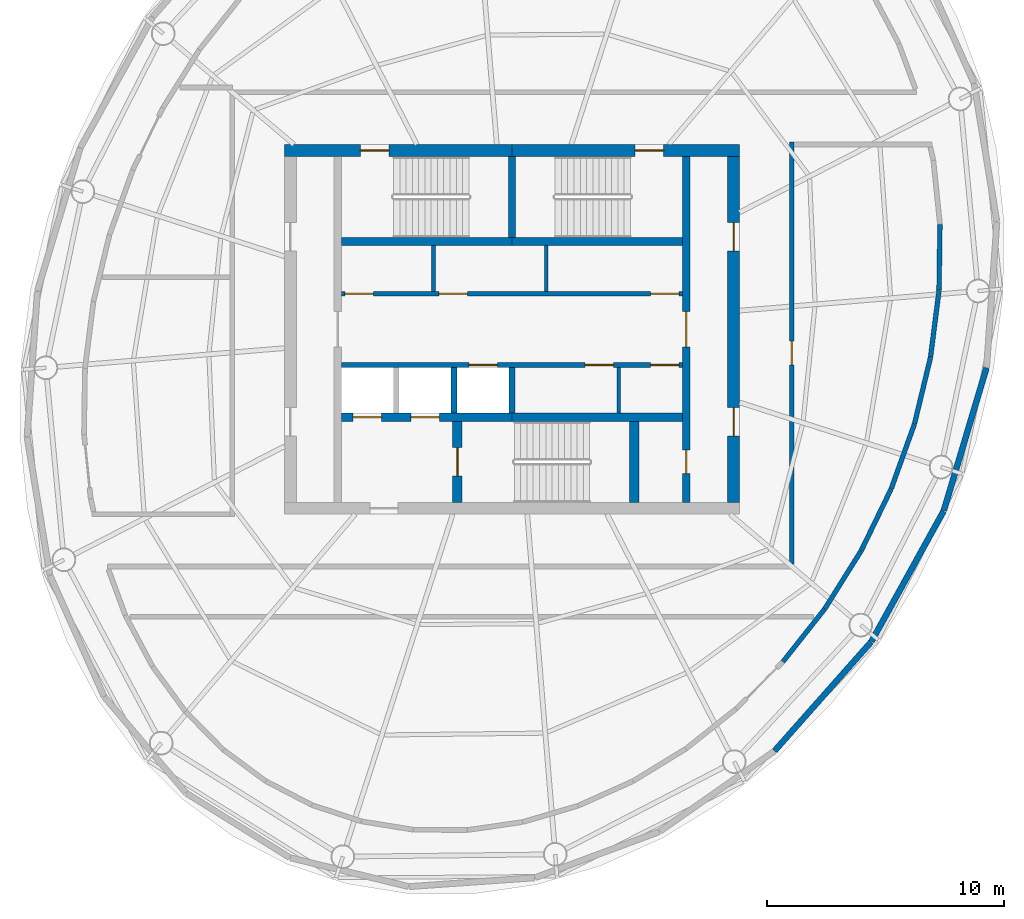
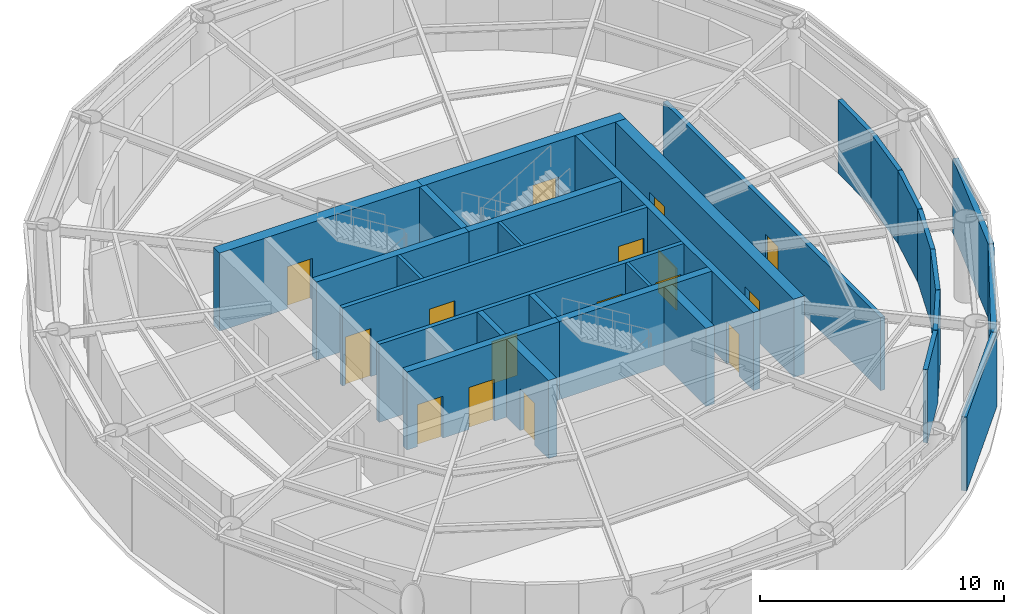
# One storey, part 4 of 6: 29 walls, 16 doors, 16 openings.
"""IFC4 building model written with IfcOpenShell, lengths in metres."""

from ifc_helpers import new_model, si_unit, direction, frame, frame_2d, origin, place, context, subcontext, project, spatial, rectangle, extrude, material, layer, layer_set, type_object, element, fill, save


model = new_model("IFC4")

# Units and contexts
model_context = context("Model", 3, precision=1e-05, world=origin(), true_north=direction((0.0, 1.0)))
body_context = subcontext(model_context, "Body", "Model", "MODEL_VIEW")
ifc_project = project(units=[si_unit("LENGTHUNIT", "METRE"), si_unit("AREAUNIT", "SQUARE_METRE"), si_unit("VOLUMEUNIT", "CUBIC_METRE"), si_unit("PLANEANGLEUNIT", "RADIAN"), si_unit("MASSUNIT", "GRAM", prefix="KILO")], contexts=[model_context])

# Site, building, storey
site_placement = place(None, origin())
site = spatial("IfcSite", under=ifc_project, at=site_placement, CompositionType="ELEMENT")
building_placement = place(site_placement, origin())
building = spatial("IfcBuilding", under=site, at=building_placement, Name="Vermilion Reach Broadcast Tower", CompositionType="ELEMENT")
storey_placement = place(building_placement, frame((0.0, 0.0, 308.699951171875)))
storey = spatial("IfcBuildingStorey", under=building, at=storey_placement, Name="L77 CROWN", CompositionType="ELEMENT", Elevation=308.699951171875)

# Wall, openings, doors
ifc_material_1 = material(Name="Concrete C50", Category="concrete")
ifc_layer_1 = layer(ifc_material_1, 0.300048828125)
ifc_layer_set_1 = layer_set([ifc_layer_1], Name="Core inner wall 300 mm Concrete C50")
wall_type_1 = type_object("IfcWallType", Name="Core inner wall 300 mm Concrete C50", PredefinedType="SHEAR", material=ifc_layer_set_1)
wall_1_placement = place(storey_placement, frame((1.35009765625, -7.300048828125, 0.0), z_axis=(0.0, 0.0, 1.0), x_axis=(0.0, 1.0, 0.0)))
wall_1 = element("IfcWall", 1, at=wall_1_placement, inside=storey, type_object=wall_type_1, Name="L77 CROWN core wall ewE", PredefinedType="SHEAR", context=body_context, shape_type="SweptSolid", body=[
    extrude(rectangle(XDim=14.60009765625, YDim=0.300048828125, at=frame_2d((7.300048828125, 0.0))), origin(), (0.0, 0.0, 1.0), 3.900146484375),
])
opening_1_placement = place(wall_1_placement, frame((1.2099609375, 0.0, 0.0)))
opening_1 = element("IfcOpeningElement", 2, at=opening_1_placement, cuts=wall_1, Name="Opening D05", PredefinedType="OPENING", context=body_context, shape_type="SweptSolid", body=[
    extrude(rectangle(XDim=1.0, YDim=2.10009765625, at=frame_2d((0.5, 1.050048828125))), frame((0.0, 0.159912109375, 0.0), z_axis=(0.0, -1.0, 0.0), x_axis=(1.0, 0.0, 0.0)), (0.0, 0.0, 1.0), 0.320068359375),
])
opening_2_placement = place(wall_1_placement, frame((6.550048828125, 0.0, 0.0)))
opening_2 = element("IfcOpeningElement", 3, at=opening_2_placement, cuts=wall_1, Name="Opening D04", PredefinedType="OPENING", context=body_context, shape_type="SweptSolid", body=[
    extrude(rectangle(XDim=1.5, YDim=2.10009765625, at=frame_2d((0.75, 1.050048828125))), frame((0.0, 0.159912109375, 0.0), z_axis=(0.0, -1.0, 0.0), x_axis=(1.0, 0.0, 0.0)), (0.0, 0.0, 1.0), 0.320068359375),
])
ifc_material_2 = material(Name="Painted steel fire door", Category="steel")
door_type_1 = type_object("IfcDoorType", Name="Lift lobby door 1500 x 2100", OperationType="DOUBLE_DOOR_SINGLE_SWING", PredefinedType="NOTDEFINED", material=ifc_material_2)
door_1_placement = place(opening_2_placement, origin())
door_1 = element("IfcDoor", 4, at=door_1_placement, inside=storey, type_object=door_type_1, Name="L77 CROWN band door BE", OperationType="DOUBLE_DOOR_SINGLE_SWING", OverallHeight=2.10009765625, OverallWidth=1.5, PredefinedType="NOTDEFINED", context=body_context, shape_type="SweptSolid", body=[
    extrude(rectangle(XDim=1.5, YDim=2.10009765625, at=frame_2d((0.75, 1.050048828125))), frame((0.0, 0.02490234375, 0.0), z_axis=(0.0, -1.0, 0.0), x_axis=(1.0, 0.0, 0.0)), (0.0, 0.0, 1.0), 0.050048828125),
])
fill(opening_2, door_1)
ifc_material_3 = material(Name="Timber door", Category="wood")
door_type_2 = type_object("IfcDoorType", Name="Room door 1000 x 2100", OperationType="NOTDEFINED", PredefinedType="NOTDEFINED", material=ifc_material_3)
door_2_placement = place(opening_1_placement, origin())
door_2 = element("IfcDoor", 5, at=door_2_placement, inside=storey, type_object=door_type_2, Name="L77 CROWN door SER", OperationType="SINGLE_SWING_LEFT", OverallHeight=2.10009765625, OverallWidth=1.0, PredefinedType="NOTDEFINED", context=body_context, shape_type="SweptSolid", body=[
    extrude(rectangle(XDim=1.0, YDim=2.10009765625, at=frame_2d((0.5, 1.050048828125))), frame((0.0, 0.02490234375, 0.0), z_axis=(0.0, -1.0, 0.0), x_axis=(1.0, 0.0, 0.0)), (0.0, 0.0, 1.0), 0.050048828125),
])
fill(opening_1, door_2)

# Walls
wall_2_placement = place(storey_placement, frame((-6.0, 3.8798828125, 0.0), z_axis=(0.0, 0.0, 1.0), x_axis=(0.0, 1.0, 0.0)))
element("IfcWall", 6, at=wall_2_placement, inside=storey, type_object=wall_type_1, Name="L77 CROWN core wall wc", PredefinedType="SHEAR", context=body_context, shape_type="SweptSolid", body=[
    extrude(rectangle(XDim=3.420166015625, YDim=0.300048828125, at=frame_2d((1.7099609375, 0.0))), origin(), (0.0, 0.0, 1.0), 3.900146484375),
])
ifc_material_4 = material(Name="Concrete C50", Category="concrete")
ifc_layer_2 = layer(ifc_material_4, 0.35009765625)
ifc_layer_set_2 = layer_set([ifc_layer_2], Name="Core inner wall 350 mm Concrete C50")
wall_type_2 = type_object("IfcWallType", Name="Core inner wall 350 mm Concrete C50", PredefinedType="SHEAR", material=ifc_layer_set_2)
for number, where, z_axis, x_axis, name in (
    (7, (-13.199951171875, 3.705078125, 0.0), (0.0, 0.0, 1.0), (1.0, 0.0, 0.0), "L77 CROWN core wall winW"),
    (8, (-6.0, 3.705078125, 0.0), (0.0, 0.0, 1.0), (1.0, 0.0, 0.0), "L77 CROWN core wall winE"),
):
    element("IfcWall", number, at=place(storey_placement, frame(where, z_axis=z_axis, x_axis=x_axis)), inside=storey, type_object=wall_type_2, Name=name, PredefinedType="SHEAR", context=body_context, shape_type="SweptSolid", body=[
        extrude(rectangle(XDim=7.199951171875, YDim=0.35009765625, at=frame_2d((3.60009765625, 0.0))), origin(), (0.0, 0.0, 1.0), 3.900146484375),
    ])

# Wall, openings, doors
wall_3_placement = place(storey_placement, frame((-13.199951171875, -3.705078125, 0.0), z_axis=(0.0, 0.0, 1.0), x_axis=(1.0, 0.0, 0.0)))
wall_3 = element("IfcWall", 9, at=wall_3_placement, inside=storey, type_object=wall_type_2, Name="L77 CROWN core wall wisW", PredefinedType="SHEAR", context=body_context, shape_type="SweptSolid", body=[
    extrude(rectangle(XDim=7.199951171875, YDim=0.35009765625, at=frame_2d((3.60009765625, 0.0))), origin(), (0.0, 0.0, 1.0), 3.900146484375),
])
opening_3_placement = place(wall_3_placement, frame((0.495849609375, 0.0, 0.0)))
opening_3 = element("IfcOpeningElement", 10, at=opening_3_placement, cuts=wall_3, Name="Opening LD1", PredefinedType="OPENING", context=body_context, shape_type="SweptSolid", body=[
    extrude(rectangle(XDim=1.199951171875, YDim=2.10009765625, at=frame_2d((0.60009765625, 1.050048828125))), frame((0.0, 0.18505859375, 0.0), z_axis=(0.0, -1.0, 0.0), x_axis=(1.0, 0.0, 0.0)), (0.0, 0.0, 1.0), 0.3701171875),
])
opening_4_placement = place(wall_3_placement, frame((2.9375, 0.0, 0.0)))
opening_4 = element("IfcOpeningElement", 11, at=opening_4_placement, cuts=wall_3, Name="Opening LD1", PredefinedType="OPENING", context=body_context, shape_type="SweptSolid", body=[
    extrude(rectangle(XDim=1.199951171875, YDim=2.10009765625, at=frame_2d((0.60009765625, 1.050048828125))), frame((0.0, 0.18505859375, 0.0), z_axis=(0.0, -1.0, 0.0), x_axis=(1.0, 0.0, 0.0)), (0.0, 0.0, 1.0), 0.3701171875),
])
ifc_material_5 = material(Name="Stainless steel", Category="steel")
door_type_3 = type_object("IfcDoorType", Name="Landing door 1200 x 2100", OperationType="DOUBLE_DOOR_SLIDING", PredefinedType="NOTDEFINED", material=ifc_material_5)
door_3_placement = place(opening_3_placement, origin())
door_3 = element("IfcDoor", 12, at=door_3_placement, inside=storey, type_object=door_type_3, Name="L77 CROWN landing door FF1", OperationType="DOUBLE_DOOR_SLIDING", OverallHeight=2.10009765625, OverallWidth=1.199951171875, PredefinedType="NOTDEFINED", context=body_context, shape_type="SweptSolid", body=[
    extrude(rectangle(XDim=1.199951171875, YDim=2.10009765625, at=frame_2d((0.60009765625, 1.050048828125))), frame((0.0, 0.02490234375, 0.0), z_axis=(0.0, -1.0, 0.0), x_axis=(1.0, 0.0, 0.0)), (0.0, 0.0, 1.0), 0.050048828125),
])
fill(opening_3, door_3)
door_4_placement = place(opening_4_placement, origin())
door_4 = element("IfcDoor", 13, at=door_4_placement, inside=storey, type_object=door_type_3, Name="L77 CROWN landing door FF2", OperationType="DOUBLE_DOOR_SLIDING", OverallHeight=2.10009765625, OverallWidth=1.199951171875, PredefinedType="NOTDEFINED", context=body_context, shape_type="SweptSolid", body=[
    extrude(rectangle(XDim=1.199951171875, YDim=2.10009765625, at=frame_2d((0.60009765625, 1.050048828125))), frame((0.0, 0.02490234375, 0.0), z_axis=(0.0, -1.0, 0.0), x_axis=(1.0, 0.0, 0.0)), (0.0, 0.0, 1.0), 0.050048828125),
])
fill(opening_4, door_4)

# Wall
wall_4_placement = place(storey_placement, frame((-6.0, -3.705078125, 0.0), z_axis=(0.0, 0.0, 1.0), x_axis=(1.0, 0.0, 0.0)))
element("IfcWall", 14, at=wall_4_placement, inside=storey, type_object=wall_type_2, Name="L77 CROWN core wall wisE", PredefinedType="SHEAR", context=body_context, shape_type="SweptSolid", body=[
    extrude(rectangle(XDim=7.199951171875, YDim=0.35009765625, at=frame_2d((3.60009765625, 0.0))), origin(), (0.0, 0.0, 1.0), 3.900146484375),
])

# Wall, opening, door
ifc_material_6 = material(Name="Concrete C50", Category="concrete")
ifc_layer_3 = layer(ifc_material_6, 0.39990234375)
ifc_layer_set_3 = layer_set([ifc_layer_3], Name="Core inner wall 400 mm Concrete C50")
wall_type_3 = type_object("IfcWallType", Name="Core inner wall 400 mm Concrete C50", PredefinedType="SHEAR", material=ifc_layer_set_3)
wall_5_placement = place(storey_placement, frame((-8.300048828125, -3.8798828125, 0.0), z_axis=(0.0, 0.0, 1.0), x_axis=(0.0, -1.0, 0.0)))
wall_5 = element("IfcWall", 15, at=wall_5_placement, inside=storey, type_object=wall_type_3, Name="L77 CROWN core wall wa", PredefinedType="SHEAR", context=body_context, shape_type="SweptSolid", body=[
    extrude(rectangle(XDim=3.420166015625, YDim=0.39990234375, at=frame_2d((1.7099609375, 0.0))), origin(), (0.0, 0.0, 1.0), 3.900146484375),
])
opening_5_placement = place(wall_5_placement, frame((1.110107421875, 0.0, 0.0)))
opening_5 = element("IfcOpeningElement", 16, at=opening_5_placement, cuts=wall_5, Name="Opening D01", PredefinedType="OPENING", context=body_context, shape_type="SweptSolid", body=[
    extrude(rectangle(XDim=1.199951171875, YDim=2.10009765625, at=frame_2d((0.60009765625, 1.050048828125))), frame((0.0, 0.2099609375, 0.0), z_axis=(0.0, -1.0, 0.0), x_axis=(1.0, 0.0, 0.0)), (0.0, 0.0, 1.0), 0.419921875),
])
ifc_material_7 = material(Name="Painted steel fire door", Category="steel")
door_type_4 = type_object("IfcDoorType", Name="Stair door 1200 x 2100", OperationType="DOUBLE_DOOR_SINGLE_SWING", PredefinedType="NOTDEFINED", material=ifc_material_7)
door_5_placement = place(opening_5_placement, origin())
door_5 = element("IfcDoor", 17, at=door_5_placement, inside=storey, type_object=door_type_4, Name="L77 CROWN stair door ST3", OperationType="DOUBLE_DOOR_SINGLE_SWING", OverallHeight=2.10009765625, OverallWidth=1.199951171875, PredefinedType="NOTDEFINED", context=body_context, shape_type="SweptSolid", body=[
    extrude(rectangle(XDim=1.199951171875, YDim=2.10009765625, at=frame_2d((0.60009765625, 1.050048828125))), frame((0.0, 0.02490234375, 0.0), z_axis=(0.0, -1.0, 0.0), x_axis=(1.0, 0.0, 0.0)), (0.0, 0.0, 1.0), 0.050048828125),
])
fill(opening_5, door_5)

# Wall
wall_6_placement = place(storey_placement, frame((-0.85009765625, -3.8798828125, 0.0), z_axis=(0.0, 0.0, 1.0), x_axis=(0.0, -1.0, 0.0)))
element("IfcWall", 18, at=wall_6_placement, inside=storey, type_object=wall_type_3, Name="L77 CROWN core wall wb", PredefinedType="SHEAR", context=body_context, shape_type="SweptSolid", body=[
    extrude(rectangle(XDim=3.420166015625, YDim=0.39990234375, at=frame_2d((1.7099609375, 0.0))), origin(), (0.0, 0.0, 1.0), 3.900146484375),
])

# Wall, opening, door
ifc_material_8 = material(Name="Concrete C50", Category="concrete")
ifc_layer_4 = layer(ifc_material_8, 0.5)
ifc_layer_set_4 = layer_set([ifc_layer_4], Name="Core outer wall 500 mm Concrete C50")
wall_type_4 = type_object("IfcWallType", Name="Core outer wall 500 mm Concrete C50", PredefinedType="SHEAR", material=ifc_layer_set_4)
wall_7_placement = place(storey_placement, frame((3.60009765625, 7.550048828125, 0.0), z_axis=(0.0, 0.0, 1.0), x_axis=(-1.0, 0.0, 0.0)))
wall_7 = element("IfcWall", 19, at=wall_7_placement, inside=storey, type_object=wall_type_4, Name="L77 CROWN core wall onE", PredefinedType="SHEAR", context=body_context, shape_type="SweptSolid", body=[
    extrude(rectangle(XDim=9.60009765625, YDim=0.5, at=frame_2d((4.800048828125, 0.0))), origin(), (0.0, 0.0, 1.0), 3.900146484375),
])
opening_6_placement = place(wall_7_placement, frame((3.199951171875, 0.0, 0.0)))
opening_6 = element("IfcOpeningElement", 20, at=opening_6_placement, cuts=wall_7, Name="Opening D01", PredefinedType="OPENING", context=body_context, shape_type="SweptSolid", body=[
    extrude(rectangle(XDim=1.199951171875, YDim=2.10009765625, at=frame_2d((0.60009765625, 1.050048828125))), frame((0.0, 0.260009765625, 0.0), z_axis=(0.0, -1.0, 0.0), x_axis=(1.0, 0.0, 0.0)), (0.0, 0.0, 1.0), 0.52001953125),
])
door_6_placement = place(opening_6_placement, origin())
door_6 = element("IfcDoor", 21, at=door_6_placement, inside=storey, type_object=door_type_4, Name="L77 CROWN stair door ST2", OperationType="DOUBLE_DOOR_SINGLE_SWING", OverallHeight=2.10009765625, OverallWidth=1.199951171875, PredefinedType="NOTDEFINED", context=body_context, shape_type="SweptSolid", body=[
    extrude(rectangle(XDim=1.199951171875, YDim=2.10009765625, at=frame_2d((0.60009765625, 1.050048828125))), frame((0.0, 0.02490234375, 0.0), z_axis=(0.0, -1.0, 0.0), x_axis=(1.0, 0.0, 0.0)), (0.0, 0.0, 1.0), 0.050048828125),
])
fill(opening_6, door_6)

wall_8_placement = place(storey_placement, frame((-6.0, 7.550048828125, 0.0), z_axis=(0.0, 0.0, 1.0), x_axis=(-1.0, 0.0, 0.0)))
wall_8 = element("IfcWall", 22, at=wall_8_placement, inside=storey, type_object=wall_type_4, Name="L77 CROWN core wall onW", PredefinedType="SHEAR", context=body_context, shape_type="SweptSolid", body=[
    extrude(rectangle(XDim=9.60009765625, YDim=0.5, at=frame_2d((4.800048828125, 0.0))), origin(), (0.0, 0.0, 1.0), 3.900146484375),
])
opening_7_placement = place(wall_8_placement, frame((5.199951171875, 0.0, 0.0)))
opening_7 = element("IfcOpeningElement", 23, at=opening_7_placement, cuts=wall_8, Name="Opening D01", PredefinedType="OPENING", context=body_context, shape_type="SweptSolid", body=[
    extrude(rectangle(XDim=1.199951171875, YDim=2.10009765625, at=frame_2d((0.60009765625, 1.050048828125))), frame((0.0, 0.260009765625, 0.0), z_axis=(0.0, -1.0, 0.0), x_axis=(1.0, 0.0, 0.0)), (0.0, 0.0, 1.0), 0.52001953125),
])
door_7_placement = place(opening_7_placement, origin())
door_7 = element("IfcDoor", 24, at=door_7_placement, inside=storey, type_object=door_type_4, Name="L77 CROWN stair door ST1", OperationType="DOUBLE_DOOR_SINGLE_SWING", OverallHeight=2.10009765625, OverallWidth=1.199951171875, PredefinedType="NOTDEFINED", context=body_context, shape_type="SweptSolid", body=[
    extrude(rectangle(XDim=1.199951171875, YDim=2.10009765625, at=frame_2d((0.60009765625, 1.050048828125))), frame((0.0, 0.02490234375, 0.0), z_axis=(0.0, -1.0, 0.0), x_axis=(1.0, 0.0, 0.0)), (0.0, 0.0, 1.0), 0.050048828125),
])
fill(opening_7, door_7)

# Wall, openings, doors
wall_9_placement = place(storey_placement, frame((3.35009765625, -7.300048828125, 0.0), z_axis=(0.0, 0.0, 1.0), x_axis=(0.0, 1.0, 0.0)))
wall_9 = element("IfcWall", 25, at=wall_9_placement, inside=storey, type_object=wall_type_4, Name="L77 CROWN core wall oe", PredefinedType="SHEAR", context=body_context, shape_type="SweptSolid", body=[
    extrude(rectangle(XDim=14.60009765625, YDim=0.5, at=frame_2d((7.300048828125, 0.0))), origin(), (0.0, 0.0, 1.0), 3.900146484375),
])
opening_8_placement = place(wall_9_placement, frame((2.800048828125, 0.0, 0.0)))
opening_8 = element("IfcOpeningElement", 26, at=opening_8_placement, cuts=wall_9, Name="Opening D03", PredefinedType="OPENING", context=body_context, shape_type="SweptSolid", body=[
    extrude(rectangle(XDim=1.199951171875, YDim=2.10009765625, at=frame_2d((0.60009765625, 1.050048828125))), frame((0.0, 0.260009765625, 0.0), z_axis=(0.0, -1.0, 0.0), x_axis=(1.0, 0.0, 0.0)), (0.0, 0.0, 1.0), 0.52001953125),
])
opening_9_placement = place(wall_9_placement, frame((10.60009765625, 0.0, 0.0)))
opening_9 = element("IfcOpeningElement", 27, at=opening_9_placement, cuts=wall_9, Name="Opening D03", PredefinedType="OPENING", context=body_context, shape_type="SweptSolid", body=[
    extrude(rectangle(XDim=1.199951171875, YDim=2.10009765625, at=frame_2d((0.60009765625, 1.050048828125))), frame((0.0, 0.260009765625, 0.0), z_axis=(0.0, -1.0, 0.0), x_axis=(1.0, 0.0, 0.0)), (0.0, 0.0, 1.0), 0.52001953125),
])
ifc_material_9 = material(Name="Painted steel fire door", Category="steel")
door_type_5 = type_object("IfcDoorType", Name="Core lobby door 1200 x 2100", OperationType="DOUBLE_DOOR_SINGLE_SWING", PredefinedType="NOTDEFINED", material=ifc_material_9)
door_8_placement = place(opening_8_placement, origin())
door_8 = element("IfcDoor", 28, at=door_8_placement, inside=storey, type_object=door_type_5, Name="L77 CROWN slot door E0", OperationType="DOUBLE_DOOR_SINGLE_SWING", OverallHeight=2.10009765625, OverallWidth=1.199951171875, PredefinedType="NOTDEFINED", context=body_context, shape_type="SweptSolid", body=[
    extrude(rectangle(XDim=1.199951171875, YDim=2.10009765625, at=frame_2d((0.60009765625, 1.050048828125))), frame((0.0, 0.02490234375, 0.0), z_axis=(0.0, -1.0, 0.0), x_axis=(1.0, 0.0, 0.0)), (0.0, 0.0, 1.0), 0.050048828125),
])
fill(opening_8, door_8)
door_9_placement = place(opening_9_placement, origin())
door_9 = element("IfcDoor", 29, at=door_9_placement, inside=storey, type_object=door_type_5, Name="L77 CROWN slot door E1", OperationType="DOUBLE_DOOR_SINGLE_SWING", OverallHeight=2.10009765625, OverallWidth=1.199951171875, PredefinedType="NOTDEFINED", context=body_context, shape_type="SweptSolid", body=[
    extrude(rectangle(XDim=1.199951171875, YDim=2.10009765625, at=frame_2d((0.60009765625, 1.050048828125))), frame((0.0, 0.02490234375, 0.0), z_axis=(0.0, -1.0, 0.0), x_axis=(1.0, 0.0, 0.0)), (0.0, 0.0, 1.0), 0.050048828125),
])
fill(opening_9, door_9)

# Walls
ifc_material_10 = material(Name="Masonry block", Category="masonry")
ifc_layer_5 = layer(ifc_material_10, 0.14990234375)
ifc_layer_set_5 = layer_set([ifc_layer_5], Name="Core partition wall 150 mm Masonry block")
wall_type_5 = type_object("IfcWallType", Name="Core partition wall 150 mm Masonry block", PredefinedType="PARTITIONING", material=ifc_layer_set_5)
for number, where, z_axis, x_axis, name in (
    (30, (-9.31201171875, 1.60009765625, 0.0), (0.0, 0.0, 1.0), (0.0, 1.0, 0.0), "L77 CROWN core wall prN-3312"),
    (31, (-4.56005859375, 1.60009765625, 0.0), (0.0, 0.0, 1.0), (0.0, 1.0, 0.0), "L77 CROWN core wall prN1440"),
    (32, (-1.488525390625, -1.60009765625, 0.0), (0.0, 0.0, 1.0), (0.0, -1.0, 0.0), "L77 CROWN core wall prS4512"),
):
    element("IfcWall", number, at=place(storey_placement, frame(where, z_axis=z_axis, x_axis=x_axis)), inside=storey, type_object=wall_type_5, Name=name, PredefinedType="PARTITIONING", context=body_context, shape_type="SweptSolid", body=[
        extrude(rectangle(XDim=1.929931640625, YDim=0.14990234375, at=frame_2d((0.96484375, 0.0))), origin(), (0.0, 0.0, 1.0), 3.900146484375),
    ])

# Wall, openings, doors
ifc_material_11 = material(Name="Concrete C50", Category="concrete")
ifc_layer_6 = layer(ifc_material_11, 0.199951171875)
ifc_layer_set_6 = layer_set([ifc_layer_6], Name="Core shaft wall 200 mm Concrete C50")
wall_type_6 = type_object("IfcWallType", Name="Core shaft wall 200 mm Concrete C50", PredefinedType="SHEAR", material=ifc_layer_set_6)
wall_10_placement = place(storey_placement, frame((-13.199951171875, 1.5, 0.0), z_axis=(0.0, 0.0, 1.0), x_axis=(1.0, 0.0, 0.0)))
wall_10 = element("IfcWall", 33, at=wall_10_placement, inside=storey, type_object=wall_type_6, Name="L77 CROWN core wall fn", PredefinedType="SHEAR", context=body_context, shape_type="SweptSolid", body=[
    extrude(rectangle(XDim=14.39990234375, YDim=0.199951171875, at=frame_2d((7.199951171875, 0.0))), origin(), (0.0, 0.0, 1.0), 3.900146484375),
])
opening_10_placement = place(wall_10_placement, frame((0.14990234375, 0.0, 0.0)))
opening_10 = element("IfcOpeningElement", 34, at=opening_10_placement, cuts=wall_10, Name="Opening D09", PredefinedType="OPENING", context=body_context, shape_type="SweptSolid", body=[
    extrude(rectangle(XDim=1.199951171875, YDim=2.39990234375, at=frame_2d((0.60009765625, 1.199951171875))), frame((0.0, 0.10986328125, 0.0), z_axis=(0.0, -1.0, 0.0), x_axis=(1.0, 0.0, 0.0)), (0.0, 0.0, 1.0), 0.219970703125),
])
opening_11_placement = place(wall_10_placement, frame((4.113037109375, 0.0, 0.0)))
opening_11 = element("IfcOpeningElement", 35, at=opening_11_placement, cuts=wall_10, Name="Opening D09", PredefinedType="OPENING", context=body_context, shape_type="SweptSolid", body=[
    extrude(rectangle(XDim=1.199951171875, YDim=2.39990234375, at=frame_2d((0.60009765625, 1.199951171875))), frame((0.0, 0.10986328125, 0.0), z_axis=(0.0, -1.0, 0.0), x_axis=(1.0, 0.0, 0.0)), (0.0, 0.0, 1.0), 0.219970703125),
])
opening_12_placement = place(wall_10_placement, frame((13.050048828125, 0.0, 0.0)))
opening_12 = element("IfcOpeningElement", 36, at=opening_12_placement, cuts=wall_10, Name="Opening D09", PredefinedType="OPENING", context=body_context, shape_type="SweptSolid", body=[
    extrude(rectangle(XDim=1.199951171875, YDim=2.39990234375, at=frame_2d((0.60009765625, 1.199951171875))), frame((0.0, 0.10986328125, 0.0), z_axis=(0.0, -1.0, 0.0), x_axis=(1.0, 0.0, 0.0)), (0.0, 0.0, 1.0), 0.219970703125),
])
ifc_material_12 = material(Name="Painted steel fire door", Category="steel")
door_type_6 = type_object("IfcDoorType", Name="Plant room door 1200 x 2400", OperationType="DOUBLE_DOOR_SINGLE_SWING", PredefinedType="NOTDEFINED", material=ifc_material_12)
door_10_placement = place(opening_10_placement, origin())
door_10 = element("IfcDoor", 37, at=door_10_placement, inside=storey, type_object=door_type_6, Name="L77 CROWN door Plant room", OperationType="DOUBLE_DOOR_SINGLE_SWING", OverallHeight=2.39990234375, OverallWidth=1.199951171875, PredefinedType="NOTDEFINED", context=body_context, shape_type="SweptSolid", body=[
    extrude(rectangle(XDim=1.199951171875, YDim=2.39990234375, at=frame_2d((0.60009765625, 1.199951171875))), frame((0.0, 0.02490234375, 0.0), z_axis=(0.0, -1.0, 0.0), x_axis=(1.0, 0.0, 0.0)), (0.0, 0.0, 1.0), 0.050048828125),
])
fill(opening_10, door_10)
door_11_placement = place(opening_11_placement, origin())
door_11 = element("IfcDoor", 38, at=door_11_placement, inside=storey, type_object=door_type_6, Name="L77 CROWN door Plant room", OperationType="DOUBLE_DOOR_SINGLE_SWING", OverallHeight=2.39990234375, OverallWidth=1.199951171875, PredefinedType="NOTDEFINED", context=body_context, shape_type="SweptSolid", body=[
    extrude(rectangle(XDim=1.199951171875, YDim=2.39990234375, at=frame_2d((0.60009765625, 1.199951171875))), frame((0.0, 0.02490234375, 0.0), z_axis=(0.0, -1.0, 0.0), x_axis=(1.0, 0.0, 0.0)), (0.0, 0.0, 1.0), 0.050048828125),
])
fill(opening_11, door_11)
door_12_placement = place(opening_12_placement, origin())
door_12 = element("IfcDoor", 39, at=door_12_placement, inside=storey, type_object=door_type_6, Name="L77 CROWN door Plant room", OperationType="DOUBLE_DOOR_SINGLE_SWING", OverallHeight=2.39990234375, OverallWidth=1.199951171875, PredefinedType="NOTDEFINED", context=body_context, shape_type="SweptSolid", body=[
    extrude(rectangle(XDim=1.199951171875, YDim=2.39990234375, at=frame_2d((0.60009765625, 1.199951171875))), frame((0.0, 0.02490234375, 0.0), z_axis=(0.0, -1.0, 0.0), x_axis=(1.0, 0.0, 0.0)), (0.0, 0.0, 1.0), 0.050048828125),
])
fill(opening_12, door_12)

wall_11_placement = place(storey_placement, frame((1.199951171875, -1.5, 0.0), z_axis=(0.0, 0.0, 1.0), x_axis=(-1.0, 0.0, 0.0)))
wall_11 = element("IfcWall", 40, at=wall_11_placement, inside=storey, type_object=wall_type_6, Name="L77 CROWN core wall fs", PredefinedType="SHEAR", context=body_context, shape_type="SweptSolid", body=[
    extrude(rectangle(XDim=14.39990234375, YDim=0.199951171875, at=frame_2d((7.199951171875, 0.0))), origin(), (0.0, 0.0, 1.0), 3.900146484375),
])
opening_13_placement = place(wall_11_placement, frame((7.82080078125, 0.0, 0.0)))
opening_13 = element("IfcOpeningElement", 41, at=opening_13_placement, cuts=wall_11, Name="Opening LD1", PredefinedType="OPENING", context=body_context, shape_type="SweptSolid", body=[
    extrude(rectangle(XDim=1.199951171875, YDim=2.10009765625, at=frame_2d((0.60009765625, 1.050048828125))), frame((0.0, 0.10986328125, 0.0), z_axis=(0.0, -1.0, 0.0), x_axis=(1.0, 0.0, 0.0)), (0.0, 0.0, 1.0), 0.219970703125),
])
opening_14_placement = place(wall_11_placement, frame((2.91357421875, 0.0, 0.0)))
opening_14 = element("IfcOpeningElement", 42, at=opening_14_placement, cuts=wall_11, Name="Opening D09", PredefinedType="OPENING", context=body_context, shape_type="SweptSolid", body=[
    extrude(rectangle(XDim=1.199951171875, YDim=2.39990234375, at=frame_2d((0.60009765625, 1.199951171875))), frame((0.0, 0.10986328125, 0.0), z_axis=(0.0, -1.0, 0.0), x_axis=(1.0, 0.0, 0.0)), (0.0, 0.0, 1.0), 0.219970703125),
])
opening_15_placement = place(wall_11_placement, frame((0.14990234375, 0.0, 0.0)))
opening_15 = element("IfcOpeningElement", 43, at=opening_15_placement, cuts=wall_11, Name="Opening D09", PredefinedType="OPENING", context=body_context, shape_type="SweptSolid", body=[
    extrude(rectangle(XDim=1.199951171875, YDim=2.39990234375, at=frame_2d((0.60009765625, 1.199951171875))), frame((0.0, 0.10986328125, 0.0), z_axis=(0.0, -1.0, 0.0), x_axis=(1.0, 0.0, 0.0)), (0.0, 0.0, 1.0), 0.219970703125),
])
door_13_placement = place(opening_13_placement, origin())
door_13 = element("IfcDoor", 44, at=door_13_placement, inside=storey, type_object=door_type_3, Name="L77 CROWN landing door SV1", OperationType="DOUBLE_DOOR_SLIDING", OverallHeight=2.10009765625, OverallWidth=1.199951171875, PredefinedType="NOTDEFINED", context=body_context, shape_type="SweptSolid", body=[
    extrude(rectangle(XDim=1.199951171875, YDim=2.10009765625, at=frame_2d((0.60009765625, 1.050048828125))), frame((0.0, 0.02490234375, 0.0), z_axis=(0.0, -1.0, 0.0), x_axis=(1.0, 0.0, 0.0)), (0.0, 0.0, 1.0), 0.050048828125),
])
fill(opening_13, door_13)
door_14_placement = place(opening_14_placement, origin())
door_14 = element("IfcDoor", 45, at=door_14_placement, inside=storey, type_object=door_type_6, Name="L77 CROWN door Plant room", OperationType="DOUBLE_DOOR_SINGLE_SWING", OverallHeight=2.39990234375, OverallWidth=1.199951171875, PredefinedType="NOTDEFINED", context=body_context, shape_type="SweptSolid", body=[
    extrude(rectangle(XDim=1.199951171875, YDim=2.39990234375, at=frame_2d((0.60009765625, 1.199951171875))), frame((0.0, 0.02490234375, 0.0), z_axis=(0.0, -1.0, 0.0), x_axis=(1.0, 0.0, 0.0)), (0.0, 0.0, 1.0), 0.050048828125),
])
fill(opening_14, door_14)
door_15_placement = place(opening_15_placement, origin())
door_15 = element("IfcDoor", 46, at=door_15_placement, inside=storey, type_object=door_type_6, Name="L77 CROWN door Plant room", OperationType="DOUBLE_DOOR_SINGLE_SWING", OverallHeight=2.39990234375, OverallWidth=1.199951171875, PredefinedType="NOTDEFINED", context=body_context, shape_type="SweptSolid", body=[
    extrude(rectangle(XDim=1.199951171875, YDim=2.39990234375, at=frame_2d((0.60009765625, 1.199951171875))), frame((0.0, 0.02490234375, 0.0), z_axis=(0.0, -1.0, 0.0), x_axis=(1.0, 0.0, 0.0)), (0.0, 0.0, 1.0), 0.050048828125),
])
fill(opening_15, door_15)

# Walls
ifc_material_13 = material(Name="Concrete C50", Category="concrete")
ifc_layer_7 = layer(ifc_material_13, 0.25)
ifc_layer_set_7 = layer_set([ifc_layer_7], Name="Core shaft wall 250 mm Concrete C50")
wall_type_7 = type_object("IfcWallType", Name="Core shaft wall 250 mm Concrete C50", PredefinedType="SHEAR", material=ifc_layer_set_7)
for number, where, z_axis, x_axis, name in (
    (47, (-8.441650390625, -1.60009765625, 0.0), (0.0, 0.0, 1.0), (0.0, -1.0, 0.0), "L77 CROWN core wall psS1"),
    (48, (-6.0, -1.60009765625, 0.0), (0.0, 0.0, 1.0), (0.0, -1.0, 0.0), "L77 CROWN core wall psS2"),
):
    element("IfcWall", number, at=place(storey_placement, frame(where, z_axis=z_axis, x_axis=x_axis)), inside=storey, type_object=wall_type_7, Name=name, PredefinedType="SHEAR", context=body_context, shape_type="SweptSolid", body=[
        extrude(rectangle(XDim=1.929931640625, YDim=0.25, at=frame_2d((0.96484375, 0.0))), origin(), (0.0, 0.0, 1.0), 3.900146484375),
    ])
ifc_material_14 = material(Name="Anodised aluminium louvre cladding", Category="aluminium")
ifc_layer_8 = layer(ifc_material_14, 0.25)
ifc_layer_set_8 = layer_set([ifc_layer_8], Name="Plant louvre wall 250, head 300 below soffit")
wall_type_8 = type_object("IfcWallType", Name="Plant louvre wall 250, head 300 below soffit", PredefinedType="SOLIDWALL", material=ifc_layer_set_8)
wall_12_placement = place(storey_placement, frame((5.081298828125, -17.781494140625, 0.0), z_axis=(0.0, 0.0, 1.0), x_axis=(0.663232601491, 0.748413332537, 0.0)))
element("IfcWall", 49, at=wall_12_placement, inside=storey, type_object=wall_type_8, Name="Louvre wall L77 CROWN 17", PredefinedType="SOLIDWALL", context=body_context, shape_type="SweptSolid", body=[
    extrude(rectangle(XDim=6.139404296875, YDim=0.25, at=frame_2d((3.06982421875, 0.0))), origin(), (0.0, 0.0, 1.0), 3.699951171875),
])
for number, where, z_axis, x_axis, name in (
    (50, (9.168701171875, -13.164794921875, 0.0), (0.0, 0.0, 1.0), (0.484124074201, 0.874999360445, 0.0), "Louvre wall L77 CROWN 18"),
    (51, (12.2197265625, -7.64453125, 0.0), (0.0, 0.0, 1.0), (0.286431283473, 0.958100787938, 0.0), "Louvre wall L77 CROWN 19"),
):
    element("IfcWall", number, at=place(storey_placement, frame(where, z_axis=z_axis, x_axis=x_axis)), inside=storey, type_object=wall_type_8, Name=name, PredefinedType="SOLIDWALL", context=body_context, shape_type="SweptSolid", body=[
        extrude(rectangle(XDim=6.281005859375, YDim=0.25, at=frame_2d((3.140625, 0.0))), origin(), (0.0, 0.0, 1.0), 3.699951171875),
    ])

# Wall, opening, door
ifc_material_15 = material(Name="Gypsum board shaft wall")
ifc_layer_9 = layer(ifc_material_15, 0.199951171875)
ifc_layer_set_9 = layer_set([ifc_layer_9], Name="Plant room wall 200")
wall_type_9 = type_object("IfcWallType", Name="Plant room wall 200", PredefinedType="PARTITIONING", material=ifc_layer_set_9)
wall_13_placement = place(storey_placement, frame((5.800048828125, -9.89990234375, 0.0), z_axis=(0.0, 0.0, 1.0), x_axis=(0.0, 1.0, 0.0)))
wall_13 = element("IfcWall", 52, at=wall_13_placement, inside=storey, type_object=wall_type_9, Name="sp.wall.L77 CROWN.002", PredefinedType="PARTITIONING", context=body_context, shape_type="SweptSolid", body=[
    extrude(rectangle(XDim=17.800048828125, YDim=0.199951171875, at=frame_2d((8.89990234375, 0.0))), origin(), (0.0, 0.0, 1.0), 3.650146484375),
])
opening_16_placement = place(wall_13_placement, frame((8.400146484375, 0.0, 0.0)))
opening_16 = element("IfcOpeningElement", 53, at=opening_16_placement, cuts=wall_13, Name="Opening D54", PredefinedType="OPENING", context=body_context, shape_type="SweptSolid", body=[
    extrude(rectangle(XDim=1.0, YDim=2.10009765625, at=frame_2d((0.5, 1.050048828125))), frame((0.0, 0.10986328125, 0.0), z_axis=(0.0, -1.0, 0.0), x_axis=(1.0, 0.0, 0.0)), (0.0, 0.0, 1.0), 0.219970703125),
])
ifc_material_16 = material(Name="Timber and steel door set", Category="steel")
door_type_7 = type_object("IfcDoorType", Name="Fire door 1000x2100", OperationType="NOTDEFINED", PredefinedType="DOOR", material=ifc_material_16)
door_16_placement = place(opening_16_placement, origin())
door_16 = element("IfcDoor", 54, at=door_16_placement, inside=storey, type_object=door_type_7, Name="sp.door.L77 CROWN.004", OperationType="SINGLE_SWING_LEFT", OverallHeight=2.10009765625, OverallWidth=1.0, PredefinedType="DOOR", context=body_context, shape_type="SweptSolid", body=[
    extrude(rectangle(XDim=1.0, YDim=2.10009765625, at=frame_2d((0.5, 1.050048828125))), frame((0.0, 0.02490234375, 0.0), z_axis=(0.0, -1.0, 0.0), x_axis=(1.0, 0.0, 0.0)), (0.0, 0.0, 1.0), 0.050048828125),
])
fill(opening_16, door_16)

# Walls
wall_14_placement = place(storey_placement, frame((5.431640625, -14.0234375, 0.0), z_axis=(0.0, 0.0, 1.0), x_axis=(0.620327979869, 0.784342525553, 0.0)))
element("IfcWall", 55, at=wall_14_placement, inside=storey, type_object=wall_type_9, Name="sp.wall.L77 CROWN.047", PredefinedType="PARTITIONING", context=body_context, shape_type="SweptSolid", body=[
    extrude(rectangle(XDim=2.835693359375, YDim=0.199951171875, at=frame_2d((1.41796875, 0.0))), origin(), (0.0, 0.0, 1.0), 3.650146484375),
])
wall_15_placement = place(storey_placement, frame((12.017822265625, 1.655517578125, 0.0), z_axis=(0.0, 0.0, 1.0), x_axis=(0.013897320686, 0.999903427576, 0.0)))
element("IfcWall", 56, at=wall_15_placement, inside=storey, type_object=wall_type_9, Name="sp.wall.L77 CROWN.048", PredefinedType="PARTITIONING", context=body_context, shape_type="SweptSolid", body=[
    extrude(rectangle(XDim=2.775634765625, YDim=0.199951171875, at=frame_2d((1.3876953125, 0.0))), origin(), (0.0, 0.0, 1.0), 3.650146484375),
])
wall_16_placement = place(storey_placement, frame((11.659423828125, -1.1689453125, 0.0), z_axis=(0.0, 0.0, 1.0), x_axis=(0.126302032537, 0.991991832919, 0.0)))
element("IfcWall", 57, at=wall_16_placement, inside=storey, type_object=wall_type_9, Name="sp.wall.L77 CROWN.049", PredefinedType="PARTITIONING", context=body_context, shape_type="SweptSolid", body=[
    extrude(rectangle(XDim=2.835693359375, YDim=0.199951171875, at=frame_2d((1.41796875, 0.0))), origin(), (0.0, 0.0, 1.0), 3.650146484375),
])
wall_17_placement = place(storey_placement, frame((10.984375, -3.976806640625, 0.0), z_axis=(0.0, 0.0, 1.0), x_axis=(0.234120678443, 0.972207543648, 0.0)))
element("IfcWall", 58, at=wall_17_placement, inside=storey, type_object=wall_type_9, Name="sp.wall.L77 CROWN.050", PredefinedType="PARTITIONING", context=body_context, shape_type="SweptSolid", body=[
    extrude(rectangle(XDim=2.877197265625, YDim=0.199951171875, at=frame_2d((1.4384765625, 0.0))), origin(), (0.0, 0.0, 1.0), 3.650146484375),
])
wall_18_placement = place(storey_placement, frame((10.003662109375, -6.715576171875, 0.0), z_axis=(0.0, 0.0, 1.0), x_axis=(0.337478197562, 0.941333344873, 0.0)))
element("IfcWall", 59, at=wall_18_placement, inside=storey, type_object=wall_type_9, Name="sp.wall.L77 CROWN.051", PredefinedType="PARTITIONING", context=body_context, shape_type="SweptSolid", body=[
    extrude(rectangle(XDim=2.89794921875, YDim=0.199951171875, at=frame_2d((1.448974609375, 0.0))), origin(), (0.0, 0.0, 1.0), 3.650146484375),
])
wall_19_placement = place(storey_placement, frame((8.73046875, -9.34326171875, 0.0), z_axis=(0.0, 0.0, 1.0), x_axis=(0.436405284506, 0.89975020292, 0.0)))
element("IfcWall", 60, at=wall_19_placement, inside=storey, type_object=wall_type_9, Name="sp.wall.L77 CROWN.052", PredefinedType="PARTITIONING", context=body_context, shape_type="SweptSolid", body=[
    extrude(rectangle(XDim=2.9091796875, YDim=0.199951171875, at=frame_2d((1.45458984375, 0.0))), origin(), (0.0, 0.0, 1.0), 3.650146484375),
])
wall_20_placement = place(storey_placement, frame((7.197509765625, -11.790771484375, 0.0), z_axis=(0.0, 0.0, 1.0), x_axis=(0.530761457751, 0.847521253401, 0.0)))
element("IfcWall", 61, at=wall_20_placement, inside=storey, type_object=wall_type_9, Name="sp.wall.L77 CROWN.053", PredefinedType="PARTITIONING", context=body_context, shape_type="SweptSolid", body=[
    extrude(rectangle(XDim=2.877197265625, YDim=0.199951171875, at=frame_2d((1.4384765625, 0.0))), origin(), (0.0, 0.0, 1.0), 3.650146484375),
])

save(model, "model.ifc")
